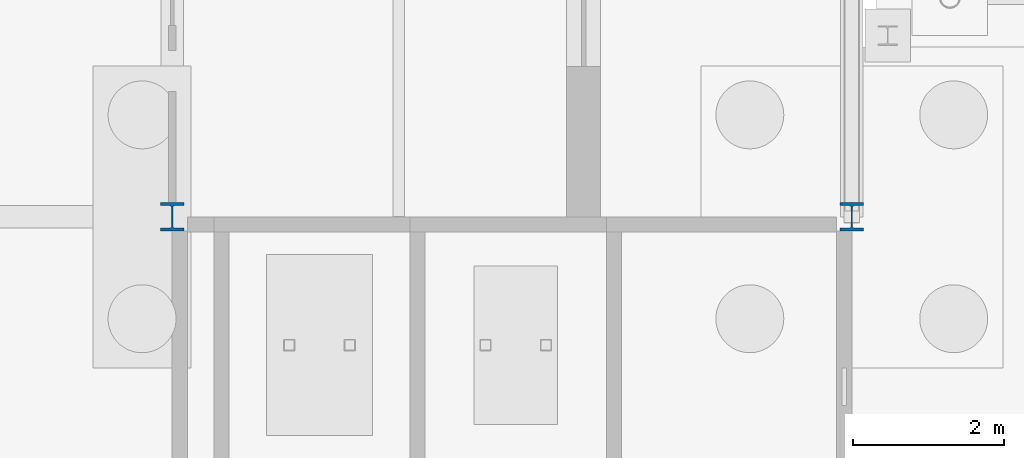
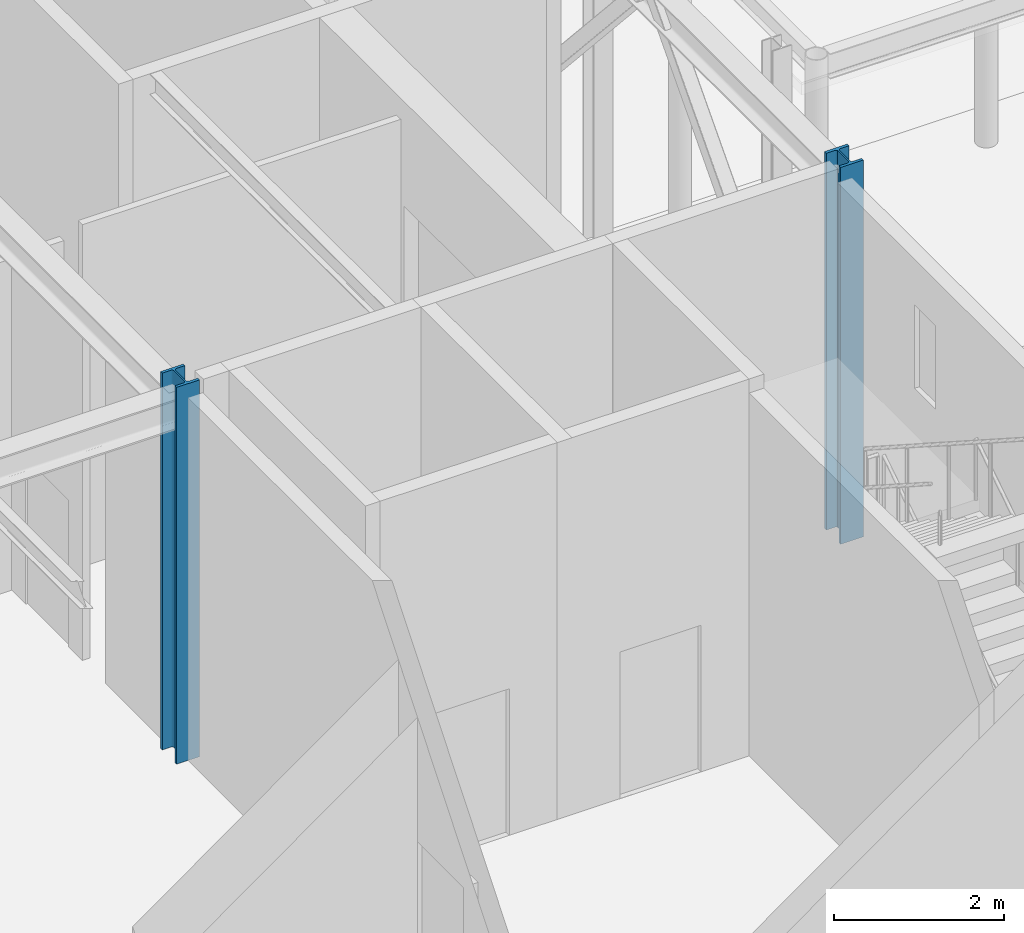
# One storey, part 23 of 126: 2 columns.
"""IFC4 building model written with IfcOpenShell, lengths in metres."""

from ifc_helpers import new_model, si_unit, direction, frame, origin, origin_2d, place, context, subcontext, project, spatial, i_section, extrude, material, material_profile, profile_set, type_object, element, save


model = new_model("IFC4")

# Units and contexts
model_context = context("Model", 3, precision=1e-05, world=origin(), true_north=direction((0.0, 1.0)))
body_context = subcontext(model_context, "Body", "Model", "MODEL_VIEW")
ifc_project = project(units=[si_unit("LENGTHUNIT", "METRE"), si_unit("AREAUNIT", "SQUARE_METRE"), si_unit("VOLUMEUNIT", "CUBIC_METRE"), si_unit("PLANEANGLEUNIT", "RADIAN"), si_unit("MASSUNIT", "GRAM", prefix="KILO")], contexts=[model_context])

# Site, building, storey
site_placement = place(None, origin())
site = spatial("IfcSite", under=ifc_project, at=site_placement, CompositionType="ELEMENT")
building_placement = place(site_placement, origin())
building = spatial("IfcBuilding", under=site, at=building_placement, Name="Kallimachos Central Library", CompositionType="ELEMENT")
storey_placement = place(building_placement, origin())
storey = spatial("IfcBuildingStorey", under=building, at=storey_placement, Name="L00", CompositionType="ELEMENT", Elevation=0.0)

# Columns
ifc_material = material(Name="Steel S355J2", Category="steel")
ifc_material_profile = material_profile(ifc_material, i_section(OverallWidth=0.30908203125, OverallDepth=0.376953125, WebThickness=0.02099609375, FlangeThickness=0.0400390625, FilletRadius=0.027099609375, at=origin_2d()), Name="HEM 340")
ifc_profile_set = profile_set([ifc_material_profile], Name="Steel S355J2")
column_type = type_object("IfcColumnType", Name="HEM 340 column", PredefinedType="COLUMN", material=ifc_profile_set)
for number, where, z_axis, x_axis, name in (
    (1, (101.5, 96.0, 0.0), (0.0, 0.0, 1.0), (1.0, 0.0, 0.0), "V1-COL-L00-011"),
    (2, (110.5, 96.0, 0.0), (0.0, 0.0, 1.0), (1.0, 0.0, 0.0), "V1-COL-L00-012"),
):
    element("IfcColumn", number, at=place(storey_placement, frame(where, z_axis=z_axis, x_axis=x_axis)), inside=storey, type_object=column_type, Name=name, PredefinedType="COLUMN", context=body_context, shape_type="SweptSolid", body=[
        extrude(i_section(OverallWidth=0.30908203125, OverallDepth=0.376953125, WebThickness=0.02099609375, FlangeThickness=0.0400390625, FilletRadius=0.027099609375, at=origin_2d()), origin(), (0.0, 0.0, 1.0), 5.39990234375),
    ])

save(model, "model.ifc")
